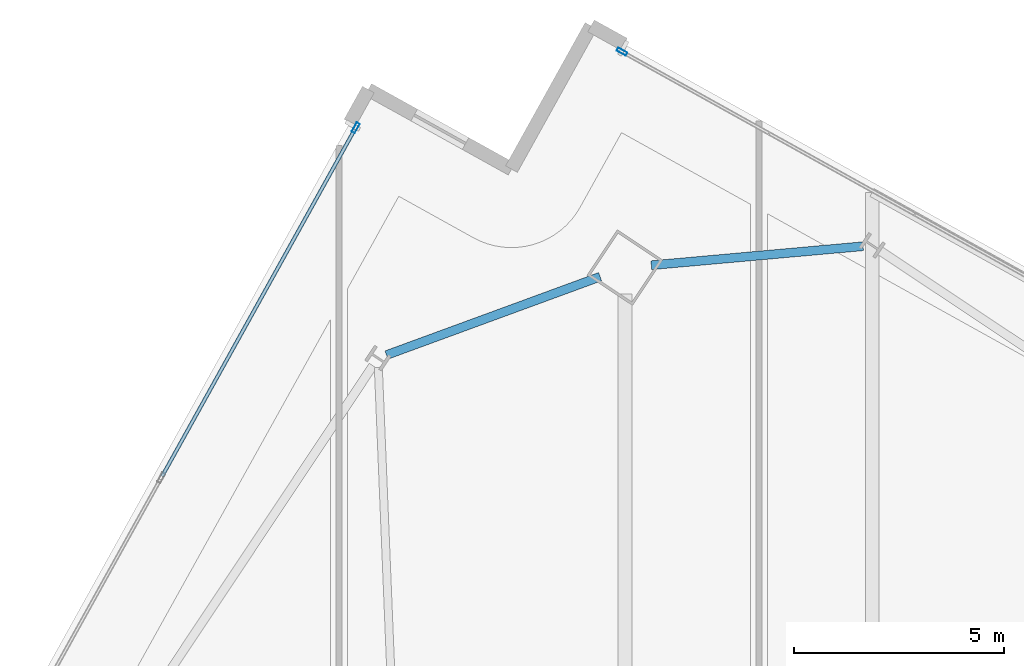
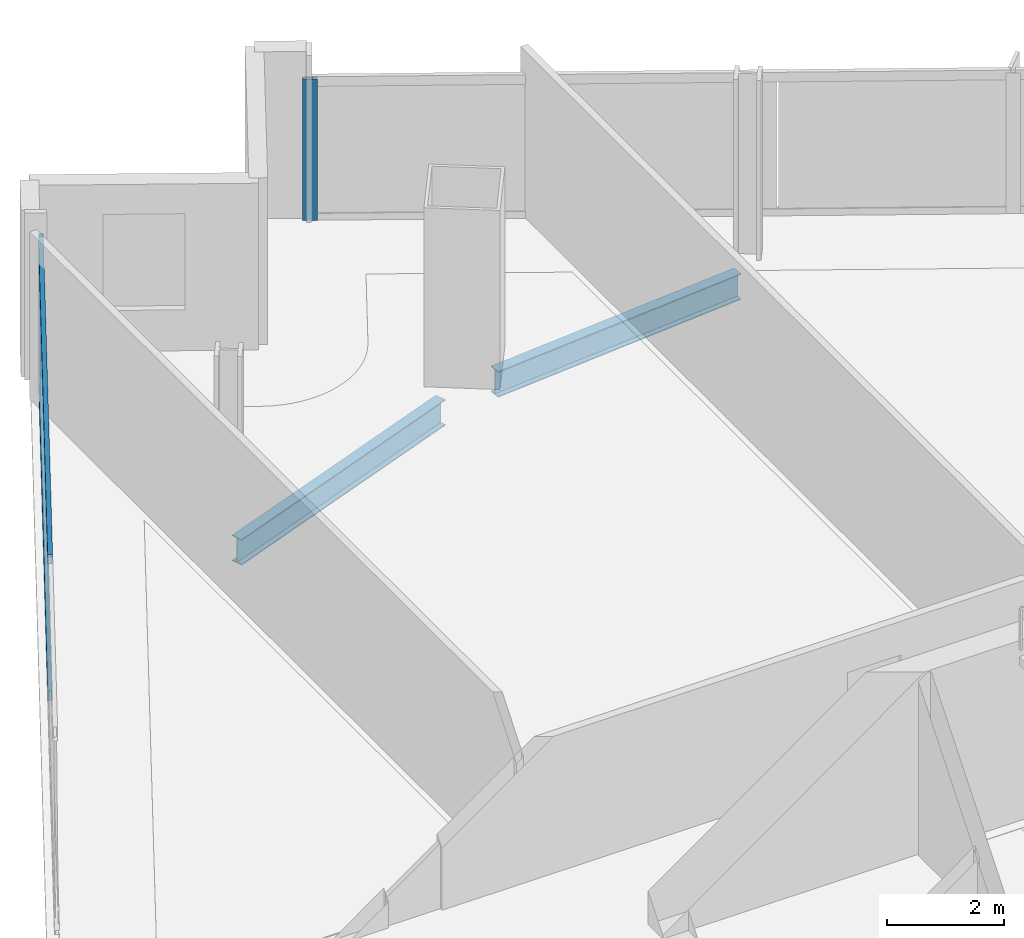
# One storey, part 14 of 28: 4 members, 2 beams, 2 elements without a shape of their own.
"""IFC4 building model written with IfcOpenShell, lengths in metres."""

from ifc_helpers import new_model, si_unit, direction, frame, origin, origin_2d, place, context, subcontext, project, spatial, hollow_rectangle, i_section, extrude, material, material_profile, profile_set, type_object, element, aggregate, save


model = new_model("IFC4")

# Units and contexts
model_context = context("Model", 3, precision=1e-05, world=origin(), true_north=direction((0.0, 1.0)))
body_context = subcontext(model_context, "Body", "Model", "MODEL_VIEW")
ifc_project = project(units=[si_unit("LENGTHUNIT", "METRE"), si_unit("AREAUNIT", "SQUARE_METRE"), si_unit("VOLUMEUNIT", "CUBIC_METRE"), si_unit("PLANEANGLEUNIT", "RADIAN"), si_unit("MASSUNIT", "GRAM", prefix="KILO")], contexts=[model_context])

# Site, building, storey
site_placement = place(None, origin())
site = spatial("IfcSite", under=ifc_project, at=site_placement, CompositionType="ELEMENT")
building_placement = place(site_placement, origin())
building = spatial("IfcBuilding", under=site, at=building_placement, Name="Haldenkirk Collegiate Tower", CompositionType="ELEMENT")
storey_placement = place(building_placement, frame((0.0, 0.0, 232.199951171875)))
storey = spatial("IfcBuildingStorey", under=building, at=storey_placement, Name="L58", CompositionType="ELEMENT", Elevation=232.199951171875)

# Beams
ifc_material_1 = material(Name="Steel ASTM A992 Grade 50", Category="steel")
ifc_material_profile_1 = material_profile(ifc_material_1, i_section(OverallWidth=0.2099609375, OverallDepth=0.537109375, WebThickness=0.010986328125, FlangeThickness=0.017333984375, at=origin_2d()), Name="W21X68")
ifc_profile_set_1 = profile_set([ifc_material_profile_1], Name="Steel ASTM A992 Grade 50")
beam_type = type_object("IfcBeamType", Name="BM-SPANDREL-W21X68", PredefinedType="SPANDREL", material=ifc_profile_set_1)
beam_1_placement = place(storey_placement, frame((37.9765625, 50.649169921875, -0.54833984375), z_axis=(-0.996001224794, -0.089339578066, 0.0), x_axis=(0.089339578066, -0.996001224794, 0.0)))
element("IfcBeam", 1, at=beam_1_placement, inside=storey, type_object=beam_type, Name="L58 perimeter spandrel beam 08", PredefinedType="SPANDREL", context=body_context, shape_type="SweptSolid", body=[
    extrude(i_section(OverallWidth=0.2099609375, OverallDepth=0.537109375, WebThickness=0.010986328125, FlangeThickness=0.017333984375, at=origin_2d()), origin(), (0.0, 0.0, 1.0), 5.06103515625),
])
beam_2_placement = place(storey_placement, frame((31.716796875, 49.923828125, -0.54833984375), z_axis=(-0.938842319963, -0.344347351153, 0.0), x_axis=(0.344347351153, -0.938842319963, 0.0)))
element("IfcBeam", 2, at=beam_2_placement, inside=storey, type_object=beam_type, Name="L58 perimeter spandrel beam 09", PredefinedType="SPANDREL", context=body_context, shape_type="SweptSolid", body=[
    extrude(i_section(OverallWidth=0.2099609375, OverallDepth=0.537109375, WebThickness=0.010986328125, FlangeThickness=0.017333984375, at=origin_2d()), origin(), (0.0, 0.0, 1.0), 5.416748046875),
])

# Curtain wall, member
ifc_material_2 = material(Name="Anodised architectural bronze aluminium", Category="aluminium")
curtain_wall_type = type_object("IfcCurtainWallType", Name="CW-SYS1B-CONVEX-HI", PredefinedType="USERDEFINED", material=ifc_material_2)
curtain_wall_1_placement = place(storey_placement, origin())
curtain_wall_1 = element("IfcCurtainWall", 3, at=curtain_wall_1_placement, inside=storey, type_object=curtain_wall_type, Name="L58 Upper tower high-wind convex bronze unitised curtain wall", ObjectType="UNITISED CURTAIN WALL", PredefinedType="USERDEFINED")
ifc_material_profile_2 = material_profile(ifc_material_2, hollow_rectangle(XDim=0.0849609375, YDim=0.25, WallThickness=0.0048828125, at=origin_2d()), Name="CW-MUL-1B")
ifc_profile_set_2 = profile_set([ifc_material_profile_2], Name="Anodised architectural bronze aluminium")
member_type_1 = type_object("IfcMemberType", Name="CW-MUL-1B", PredefinedType="MULLION", material=ifc_profile_set_2)
member_1_placement = place(storey_placement, frame((32.237060546875, 55.28076171875, 0.0), z_axis=(0.0, 0.0, 1.0), x_axis=(0.485572321883, 0.874196499776, 0.0)))
member_1 = element("IfcMember", 4, at=member_1_placement, type_object=member_type_1, Name="CW-1B mullion 1", PredefinedType="MULLION", context=body_context, shape_type="SweptSolid", body=[
    extrude(hollow_rectangle(XDim=0.0849609375, YDim=0.25, WallThickness=0.0048828125, at=origin_2d()), origin(), (0.0, 0.0, 1.0), 2.927978515625),
])
aggregate(curtain_wall_1, [member_1])

# Curtain wall, members
curtain_wall_2_placement = place(storey_placement, origin())
curtain_wall_2 = element("IfcCurtainWall", 5, at=curtain_wall_2_placement, inside=storey, type_object=curtain_wall_type, Name="L58 Upper tower high-wind convex bronze unitised curtain wall", ObjectType="UNITISED CURTAIN WALL", PredefinedType="USERDEFINED")
member_2_placement = place(storey_placement, frame((25.897216796875, 53.46875, 0.0), z_axis=(0.0, 0.0, 1.0), x_axis=(-0.874196560948, 0.485572211753, 0.0)))
member_2 = element("IfcMember", 6, at=member_2_placement, type_object=member_type_1, Name="CW-1B mullion 5", PredefinedType="MULLION", context=body_context, shape_type="SweptSolid", body=[
    extrude(hollow_rectangle(XDim=0.0849609375, YDim=0.25, WallThickness=0.0048828125, at=origin_2d()), origin(), (0.0, 0.0, 1.0), 2.927978515625),
])
ifc_material_profile_3 = material_profile(ifc_material_2, hollow_rectangle(XDim=0.0849609375, YDim=0.199951171875, WallThickness=0.0048828125, at=origin_2d()), Name="CW-TRN-1B")
ifc_profile_set_3 = profile_set([ifc_material_profile_3], Name="Anodised architectural bronze aluminium")
member_type_2 = type_object("IfcMemberType", Name="CW-TRN-1B", PredefinedType="USERDEFINED", material=ifc_profile_set_3)
member_3_placement = place(storey_placement, frame((21.2890625, 45.172607421875, 0.04248046875), z_axis=(0.48556613548, 0.874199935984, 0.0), x_axis=(-0.874199935984, 0.48556613548, 0.0)))
member_3 = element("IfcMember", 7, at=member_3_placement, type_object=member_type_2, Name="CW-1B transom 4.1", ObjectType="TRANSOM", PredefinedType="USERDEFINED", context=body_context, shape_type="SweptSolid", body=[
    extrude(hollow_rectangle(XDim=0.0849609375, YDim=0.199951171875, WallThickness=0.0048828125, at=origin_2d()), origin(), (0.0, 0.0, 1.0), 9.447509765625),
])
member_4_placement = place(storey_placement, frame((21.2890625, 45.172607421875, 2.885498046875), z_axis=(0.48556613548, 0.874199935984, 0.0), x_axis=(-0.874199935984, 0.48556613548, 0.0)))
member_4 = element("IfcMember", 8, at=member_4_placement, type_object=member_type_2, Name="CW-1B transom 4.2", ObjectType="TRANSOM", PredefinedType="USERDEFINED", context=body_context, shape_type="SweptSolid", body=[
    extrude(hollow_rectangle(XDim=0.0849609375, YDim=0.199951171875, WallThickness=0.0048828125, at=origin_2d()), origin(), (0.0, 0.0, 1.0), 9.447509765625),
])
aggregate(curtain_wall_2, [member_2, member_3, member_4])

save(model, "model.ifc")
